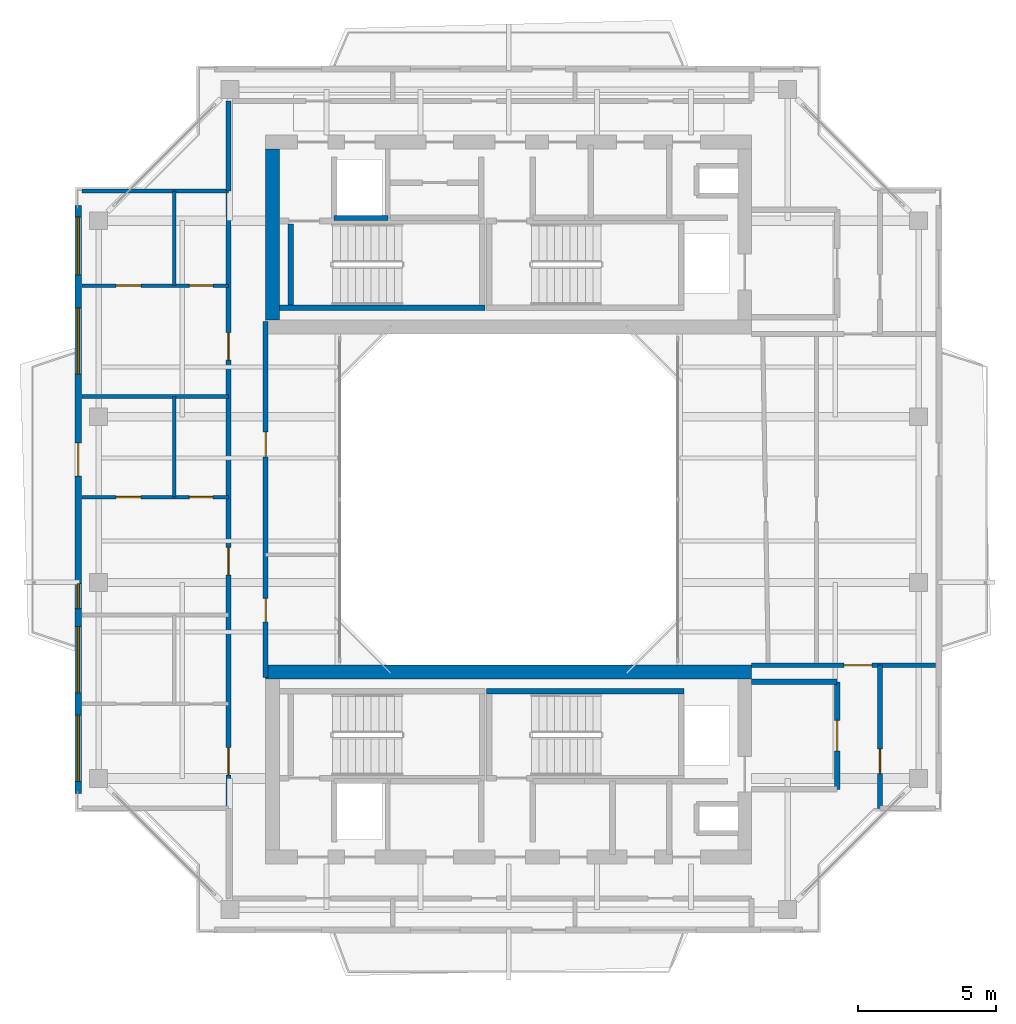
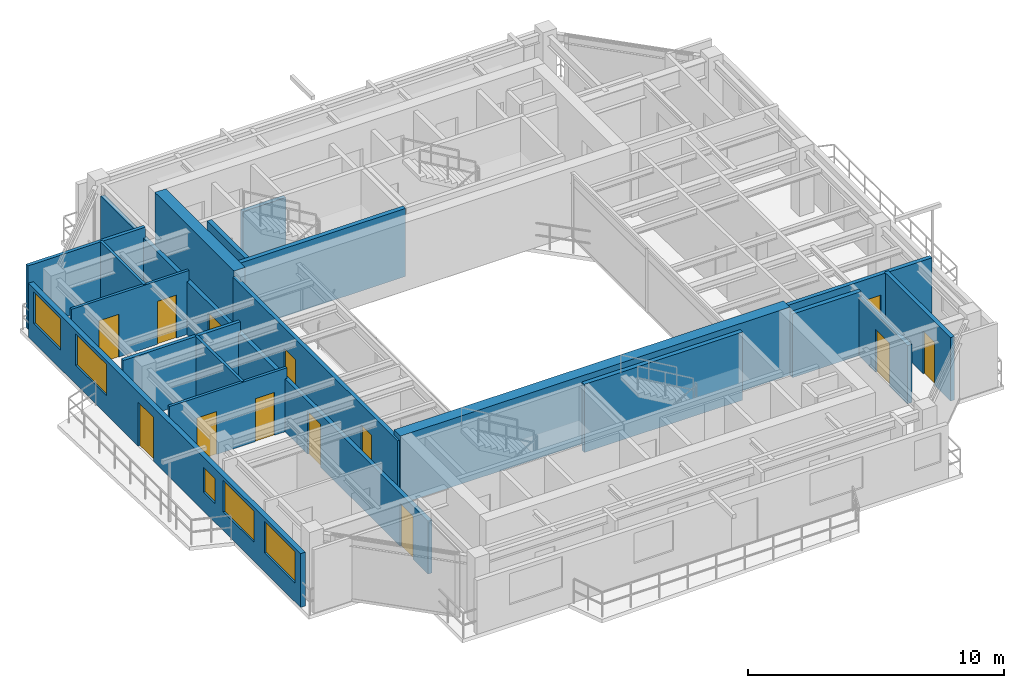
# One storey, part 10 of 14: 20 walls, 13 doors, 5 windows, 18 openings.
"""IFC4 building model written with IfcOpenShell, lengths in metres."""

from ifc_helpers import new_model, si_unit, direction, frame, frame_2d, origin, place, context, subcontext, project, spatial, rectangle, extrude, source, transform, mapped, material, layer, layer_set, type_object, element, fill, save


model = new_model("IFC4")

# Units and contexts
model_context = context("Model", 3, precision=1e-05, world=origin(), true_north=direction((0.0, 1.0)))
body_context = subcontext(model_context, "Body", "Model", "MODEL_VIEW")
ifc_project = project(units=[si_unit("LENGTHUNIT", "METRE"), si_unit("AREAUNIT", "SQUARE_METRE"), si_unit("VOLUMEUNIT", "CUBIC_METRE"), si_unit("PLANEANGLEUNIT", "RADIAN"), si_unit("MASSUNIT", "GRAM", prefix="KILO"), si_unit("THERMODYNAMICTEMPERATUREUNIT", "KELVIN"), si_unit("POWERUNIT", "WATT")], contexts=[model_context])

# Site, building, storey
site_placement = place(None, origin())
site = spatial("IfcSite", under=ifc_project, at=site_placement, CompositionType="ELEMENT")
building_placement = place(site_placement, origin())
building = spatial("IfcBuilding", under=site, at=building_placement, Name="Qiaomeng Ring Towers", CompositionType="ELEMENT")
storey_placement = place(building_placement, frame((0.0, 0.0, 260.0)))
storey = spatial("IfcBuildingStorey", under=building, at=storey_placement, Name="L76", CompositionType="ELEMENT", Elevation=260.0)

# Wall, openings, windows, door
ifc_material_1 = material(Name="Precast concrete C40", Category="concrete")
ifc_layer_1 = layer(ifc_material_1, 0.219970703125, Name="Precast concrete C40")
ifc_layer_set_1 = layer_set([ifc_layer_1], Name="Precast concrete C40")
wall_type_1 = type_object("IfcWallType", Name="ARC-WL-EW2", PredefinedType="STANDARD", material=ifc_layer_set_1)
wall_1_placement = place(storey_placement, frame((3.409912109375, 12.35009765625, 0.0), z_axis=(0.0, 0.0, 1.0), x_axis=(0.0, 1.0, 0.0)))
wall_1 = element("IfcWall", 1, at=wall_1_placement, inside=storey, type_object=wall_type_1, Name="L76 Tower 1 W Exterior Wall", PredefinedType="STANDARD", context=body_context, shape_type="SweptSolid", body=[
    extrude(rectangle(XDim=21.2998046875, YDim=0.219970703125, at=frame_2d((10.64990234375, 0.0))), origin(), (0.0, 0.0, 1.0), 2.570068359375),
])
opening_1_placement = place(wall_1_placement, frame((11.5, 0.0, 0.0)))
opening_1 = element("IfcOpeningElement", 2, at=opening_1_placement, cuts=wall_1, Name="Opening BD1", PredefinedType="OPENING", context=body_context, shape_type="SweptSolid", body=[
    extrude(rectangle(XDim=1.199951171875, YDim=2.10009765625, at=frame_2d((0.60009765625, 1.050048828125))), frame((0.0, 0.119873046875, 0.0), z_axis=(0.0, -1.0, 0.0), x_axis=(1.0, 0.0, 0.0)), (0.0, 0.0, 1.0), 0.239990234375),
])
opening_2_placement = place(wall_1_placement, frame((0.43994140625, 0.0, 0.89990234375)))
opening_2 = element("IfcOpeningElement", 3, at=opening_2_placement, cuts=wall_1, Name="Opening WN6", PredefinedType="OPENING", context=body_context, shape_type="SweptSolid", body=[
    extrude(rectangle(XDim=2.39990234375, YDim=1.5, at=frame_2d((1.199951171875, 0.75))), frame((0.0, 0.119873046875, 0.0), z_axis=(0.0, -1.0, 0.0), x_axis=(1.0, 0.0, 0.0)), (0.0, 0.0, 1.0), 0.239990234375),
])
opening_3_placement = place(wall_1_placement, frame((18.784912109375, 0.0, 0.89990234375)))
opening_3 = element("IfcOpeningElement", 4, at=opening_3_placement, cuts=wall_1, Name="Opening WN4", PredefinedType="OPENING", context=body_context, shape_type="SweptSolid", body=[
    extrude(rectangle(XDim=2.10009765625, YDim=1.5, at=frame_2d((1.050048828125, 0.75))), frame((0.0, 0.119873046875, 0.0), z_axis=(0.0, -1.0, 0.0), x_axis=(1.0, 0.0, 0.0)), (0.0, 0.0, 1.0), 0.239990234375),
])
opening_4_placement = place(wall_1_placement, frame((3.652587890625, 0.0, 0.89990234375)))
opening_4 = element("IfcOpeningElement", 5, at=opening_4_placement, cuts=wall_1, Name="Opening WN6", PredefinedType="OPENING", context=body_context, shape_type="SweptSolid", body=[
    extrude(rectangle(XDim=2.39990234375, YDim=1.5, at=frame_2d((1.199951171875, 0.75))), frame((0.0, 0.119873046875, 0.0), z_axis=(0.0, -1.0, 0.0), x_axis=(1.0, 0.0, 0.0)), (0.0, 0.0, 1.0), 0.239990234375),
])
opening_5_placement = place(wall_1_placement, frame((15.197509765625, 0.0, 0.89990234375)))
opening_5 = element("IfcOpeningElement", 6, at=opening_5_placement, cuts=wall_1, Name="Opening WN6", PredefinedType="OPENING", context=body_context, shape_type="SweptSolid", body=[
    extrude(rectangle(XDim=2.39990234375, YDim=1.5, at=frame_2d((1.199951171875, 0.75))), frame((0.0, 0.119873046875, 0.0), z_axis=(0.0, -1.0, 0.0), x_axis=(1.0, 0.0, 0.0)), (0.0, 0.0, 1.0), 0.239990234375),
])
opening_6_placement = place(wall_1_placement, frame((6.705078125, 0.0, 0.89990234375)))
opening_6 = element("IfcOpeningElement", 7, at=opening_6_placement, cuts=wall_1, Name="Opening WN5", PredefinedType="OPENING", context=body_context, shape_type="SweptSolid", body=[
    extrude(rectangle(XDim=0.89990234375, YDim=1.199951171875, at=frame_2d((0.449951171875, 0.60009765625))), frame((0.0, 0.119873046875, 0.0), z_axis=(0.0, -1.0, 0.0), x_axis=(1.0, 0.0, 0.0)), (0.0, 0.0, 1.0), 0.239990234375),
])
ifc_material_2 = material(Name="Low-E dark-grey laminated double glazing", Category="glass")
window_type_1 = type_object("IfcWindowType", Name="ARC-WN-4", PartitioningType="TRIPLE_PANEL_VERTICAL", PredefinedType="WINDOW", material=ifc_material_2)
shared_shape_1 = source(origin(), body_context, "Body", "SweptSolid", [
    extrude(rectangle(XDim=2.10009765625, YDim=1.5, at=frame_2d((1.050048828125, 0.75))), frame((0.0, 0.030029296875, 0.0), z_axis=(0.0, -1.0, 0.0), x_axis=(1.0, 0.0, 0.0)), (0.0, 0.0, 1.0), 0.06005859375),
])
window_1_placement = place(opening_3_placement, origin())
window_1 = element("IfcWindow", 8, at=window_1_placement, inside=storey, type_object=window_type_1, Name="L76 Exterior Window WN4", OverallHeight=1.5, OverallWidth=2.10009765625, PartitioningType="TRIPLE_PANEL_VERTICAL", PredefinedType="WINDOW", context=body_context, shape_type="MappedRepresentation", body=[
    mapped(shared_shape_1, transform((0.0, 0.0, 0.0), x_axis=(1.0, 0.0, 0.0), y_axis=(0.0, 1.0, 0.0), z_axis=(0.0, 0.0, 1.0), scale=1.0)),
])
fill(opening_3, window_1)
door_type_1 = type_object("IfcDoorType", Name="ARC-DR-BD1", OperationType="NOTDEFINED", PredefinedType="DOOR", material=ifc_material_2)
shared_shape_2 = source(origin(), body_context, "Body", "SweptSolid", [
    extrude(rectangle(XDim=1.199951171875, YDim=2.10009765625, at=frame_2d((0.60009765625, 1.050048828125))), frame((0.0, 0.02490234375, 0.0), z_axis=(0.0, -1.0, 0.0), x_axis=(1.0, 0.0, 0.0)), (0.0, 0.0, 1.0), 0.050048828125),
])
door_1_placement = place(opening_1_placement, frame((1.199951171875, 0.0, 0.0), z_axis=(0.0, 0.0, 1.0), x_axis=(-1.0, 0.0, 0.0)))
door_1 = element("IfcDoor", 9, at=door_1_placement, inside=storey, type_object=door_type_1, Name="L76 W Balcony Glazed Door", OperationType="SINGLE_SWING_LEFT", OverallHeight=2.10009765625, OverallWidth=1.199951171875, PredefinedType="DOOR", context=body_context, shape_type="MappedRepresentation", body=[
    mapped(shared_shape_2, transform((0.0, 0.0, 0.0), x_axis=(1.0, 0.0, 0.0), y_axis=(0.0, 1.0, 0.0), z_axis=(0.0, 0.0, 1.0), scale=1.0)),
])
fill(opening_1, door_1)
window_type_2 = type_object("IfcWindowType", Name="ARC-WN-6", PartitioningType="TRIPLE_PANEL_VERTICAL", PredefinedType="WINDOW", material=ifc_material_2)
shared_shape_3 = source(origin(), body_context, "Body", "SweptSolid", [
    extrude(rectangle(XDim=2.39990234375, YDim=1.5, at=frame_2d((1.199951171875, 0.75))), frame((0.0, 0.030029296875, 0.0), z_axis=(0.0, -1.0, 0.0), x_axis=(1.0, 0.0, 0.0)), (0.0, 0.0, 1.0), 0.06005859375),
])
window_2_placement = place(opening_2_placement, origin())
window_2 = element("IfcWindow", 10, at=window_2_placement, inside=storey, type_object=window_type_2, Name="L76 Exterior Window WN6", OverallHeight=1.5, OverallWidth=2.39990234375, PartitioningType="TRIPLE_PANEL_VERTICAL", PredefinedType="WINDOW", context=body_context, shape_type="MappedRepresentation", body=[
    mapped(shared_shape_3, transform((0.0, 0.0, 0.0), x_axis=(1.0, 0.0, 0.0), y_axis=(0.0, 1.0, 0.0), z_axis=(0.0, 0.0, 1.0), scale=1.0)),
])
fill(opening_2, window_2)
window_3_placement = place(opening_4_placement, origin())
window_3 = element("IfcWindow", 11, at=window_3_placement, inside=storey, type_object=window_type_2, Name="L76 Exterior Window WN6", OverallHeight=1.5, OverallWidth=2.39990234375, PartitioningType="TRIPLE_PANEL_VERTICAL", PredefinedType="WINDOW", context=body_context, shape_type="MappedRepresentation", body=[
    mapped(shared_shape_3, transform((0.0, 0.0, 0.0), x_axis=(1.0, 0.0, 0.0), y_axis=(0.0, 1.0, 0.0), z_axis=(0.0, 0.0, 1.0), scale=1.0)),
])
fill(opening_4, window_3)
window_4_placement = place(opening_5_placement, origin())
window_4 = element("IfcWindow", 12, at=window_4_placement, inside=storey, type_object=window_type_2, Name="L76 Exterior Window WN6", OverallHeight=1.5, OverallWidth=2.39990234375, PartitioningType="TRIPLE_PANEL_VERTICAL", PredefinedType="WINDOW", context=body_context, shape_type="MappedRepresentation", body=[
    mapped(shared_shape_3, transform((0.0, 0.0, 0.0), x_axis=(1.0, 0.0, 0.0), y_axis=(0.0, 1.0, 0.0), z_axis=(0.0, 0.0, 1.0), scale=1.0)),
])
fill(opening_5, window_4)
window_type_3 = type_object("IfcWindowType", Name="ARC-WN-5", PartitioningType="SINGLE_PANEL", PredefinedType="WINDOW", material=ifc_material_2)
shared_shape_4 = source(origin(), body_context, "Body", "SweptSolid", [
    extrude(rectangle(XDim=0.89990234375, YDim=1.199951171875, at=frame_2d((0.449951171875, 0.60009765625))), frame((0.0, 0.030029296875, 0.0), z_axis=(0.0, -1.0, 0.0), x_axis=(1.0, 0.0, 0.0)), (0.0, 0.0, 1.0), 0.06005859375),
])
window_5_placement = place(opening_6_placement, origin())
window_5 = element("IfcWindow", 13, at=window_5_placement, inside=storey, type_object=window_type_3, Name="L76 Exterior Window WN5", OverallHeight=1.199951171875, OverallWidth=0.89990234375, PartitioningType="SINGLE_PANEL", PredefinedType="WINDOW", context=body_context, shape_type="MappedRepresentation", body=[
    mapped(shared_shape_4, transform((0.0, 0.0, 0.0), x_axis=(1.0, 0.0, 0.0), y_axis=(0.0, 1.0, 0.0), z_axis=(0.0, 0.0, 1.0), scale=1.0)),
])
fill(opening_6, window_5)

# Wall
ifc_material_3 = material(Name="Autoclaved aerated concrete block", Category="concrete")
ifc_layer_2 = layer(ifc_material_3, 0.199951171875, Name="Autoclaved aerated concrete block")
ifc_layer_set_2 = layer_set([ifc_layer_2], Name="Autoclaved aerated concrete block")
wall_type_2 = type_object("IfcWallType", Name="ARC-WL-PW1", PredefinedType="PARTITIONING", material=ifc_layer_set_2)
wall_2_placement = place(storey_placement, frame((27.800048828125, 16.39990234375, 0.0), z_axis=(0.0, 0.0, 1.0), x_axis=(1.0, 0.0, 0.0)))
element("IfcWall", 14, at=wall_2_placement, inside=storey, type_object=wall_type_2, Name="L76 Interior Wall PW1", PredefinedType="PARTITIONING", context=body_context, shape_type="SweptSolid", body=[
    extrude(rectangle(XDim=3.099853515625, YDim=0.199951171875, at=frame_2d((1.5498046875, 0.0))), origin(), (0.0, 0.0, 1.0), 3.030029296875),
])

# Wall, opening, door
wall_3_placement = place(storey_placement, frame((30.89990234375, 12.5, 0.0), z_axis=(0.0, 0.0, 1.0), x_axis=(0.0, 1.0, 0.0)))
wall_3 = element("IfcWall", 15, at=wall_3_placement, inside=storey, type_object=wall_type_2, Name="L76 Interior Wall PW1", PredefinedType="PARTITIONING", context=body_context, shape_type="SweptSolid", body=[
    extrude(rectangle(XDim=3.89990234375, YDim=0.199951171875, at=frame_2d((1.949951171875, 0.0))), origin(), (0.0, 0.0, 1.0), 2.781005859375),
])
opening_7_placement = place(wall_3_placement, frame((1.39990234375, 0.0, 0.0)))
opening_7 = element("IfcOpeningElement", 16, at=opening_7_placement, cuts=wall_3, Name="Opening FD3", PredefinedType="OPENING", context=body_context, shape_type="SweptSolid", body=[
    extrude(rectangle(XDim=1.10009765625, YDim=2.050048828125, at=frame_2d((0.550048828125, 1.02490234375))), frame((0.0, 0.10986328125, 0.0), z_axis=(0.0, -1.0, 0.0), x_axis=(1.0, 0.0, 0.0)), (0.0, 0.0, 1.0), 0.219970703125),
])
ifc_material_4 = material(Name="Galvanised steel", Category="steel")
door_type_2 = type_object("IfcDoorType", Name="ARC-DR-FD3", OperationType="NOTDEFINED", PredefinedType="DOOR", material=ifc_material_4)
shared_shape_5 = source(origin(), body_context, "Body", "SweptSolid", [
    extrude(rectangle(XDim=1.10009765625, YDim=2.050048828125, at=frame_2d((0.550048828125, 1.02490234375))), frame((0.0, 0.02490234375, 0.0), z_axis=(0.0, -1.0, 0.0), x_axis=(1.0, 0.0, 0.0)), (0.0, 0.0, 1.0), 0.050048828125),
])
door_2_placement = place(opening_7_placement, origin())
door_2 = element("IfcDoor", 17, at=door_2_placement, inside=storey, type_object=door_type_2, Name="L76 South FF Lobby Door", OperationType="SINGLE_SWING_RIGHT", OverallHeight=2.050048828125, OverallWidth=1.10009765625, PredefinedType="DOOR", context=body_context, shape_type="MappedRepresentation", body=[
    mapped(shared_shape_5, transform((0.0, 0.0, 0.0), x_axis=(1.0, 0.0, 0.0), y_axis=(0.0, 1.0, 0.0), z_axis=(0.0, 0.0, 1.0), scale=1.0)),
])
fill(opening_7, door_2)

# Wall
ifc_layer_3 = layer(ifc_material_3, 0.179931640625, Name="Autoclaved aerated concrete block")
ifc_layer_set_3 = layer_set([ifc_layer_3], Name="Autoclaved aerated concrete block")
wall_type_3 = type_object("IfcWallType", Name="ARC-WL-PW2", PredefinedType="PARTITIONING", material=ifc_layer_set_3)
wall_4_placement = place(storey_placement, frame((8.85009765625, 34.179931640625, 0.0), z_axis=(0.0, 0.0, 1.0), x_axis=(0.0, 1.0, 0.0)))
element("IfcWall", 18, at=wall_4_placement, inside=storey, type_object=wall_type_3, Name="L76 Interior Wall PW2", PredefinedType="PARTITIONING", context=body_context, shape_type="SweptSolid", body=[
    extrude(rectangle(XDim=3.260009765625, YDim=0.179931640625, at=frame_2d((1.6298828125, 0.0))), origin(), (0.0, 0.0, 1.0), 2.529052734375),
])

# Wall, openings, doors
wall_5_placement = place(storey_placement, frame((8.85009765625, 11.820068359375, 0.0), z_axis=(0.0, 0.0, 1.0), x_axis=(0.0, 1.0, 0.0)))
wall_5 = element("IfcWall", 19, at=wall_5_placement, inside=storey, type_object=wall_type_3, Name="L76 Interior Wall PW2", PredefinedType="PARTITIONING", context=body_context, shape_type="SweptSolid", body=[
    extrude(rectangle(XDim=22.35986328125, YDim=0.179931640625, at=frame_2d((11.179931640625, 0.0))), origin(), (0.0, 0.0, 1.0), 2.529052734375),
])
opening_8_placement = place(wall_5_placement, frame((1.199951171875, 0.0, 0.0)))
opening_8 = element("IfcOpeningElement", 20, at=opening_8_placement, cuts=wall_5, Name="Opening FD4", PredefinedType="OPENING", context=body_context, shape_type="SweptSolid", body=[
    extrude(rectangle(XDim=1.0, YDim=2.050048828125, at=frame_2d((0.5, 1.02490234375))), frame((0.0, 0.099853515625, 0.0), z_axis=(0.0, -1.0, 0.0), x_axis=(1.0, 0.0, 0.0)), (0.0, 0.0, 1.0), 0.199951171875),
])
opening_9_placement = place(wall_5_placement, frame((8.445068359375, 0.0, 0.0)))
opening_9 = element("IfcOpeningElement", 21, at=opening_9_placement, cuts=wall_5, Name="Opening FD4", PredefinedType="OPENING", context=body_context, shape_type="SweptSolid", body=[
    extrude(rectangle(XDim=1.0, YDim=2.050048828125, at=frame_2d((0.5, 1.02490234375))), frame((0.0, 0.099853515625, 0.0), z_axis=(0.0, -1.0, 0.0), x_axis=(1.0, 0.0, 0.0)), (0.0, 0.0, 1.0), 0.199951171875),
])
opening_10_placement = place(wall_5_placement, frame((16.22998046875, 0.0, 0.0)))
opening_10 = element("IfcOpeningElement", 22, at=opening_10_placement, cuts=wall_5, Name="Opening FD4", PredefinedType="OPENING", context=body_context, shape_type="SweptSolid", body=[
    extrude(rectangle(XDim=1.0, YDim=2.050048828125, at=frame_2d((0.5, 1.02490234375))), frame((0.0, 0.099853515625, 0.0), z_axis=(0.0, -1.0, 0.0), x_axis=(1.0, 0.0, 0.0)), (0.0, 0.0, 1.0), 0.199951171875),
])
ifc_material_5 = material(Name="Engineered fire-rated oak timber", Category="wood")
door_type_3 = type_object("IfcDoorType", Name="ARC-DR-FD4", OperationType="NOTDEFINED", PredefinedType="DOOR", material=ifc_material_5)
shared_shape_6 = source(origin(), body_context, "Body", "SweptSolid", [
    extrude(rectangle(XDim=1.0, YDim=2.050048828125, at=frame_2d((0.5, 1.02490234375))), frame((0.0, 0.02490234375, 0.0), z_axis=(0.0, -1.0, 0.0), x_axis=(1.0, 0.0, 0.0)), (0.0, 0.0, 1.0), 0.050048828125),
])
door_3_placement = place(opening_8_placement, origin())
door_3 = element("IfcDoor", 23, at=door_3_placement, inside=storey, type_object=door_type_3, Name="L76 Door FD4", OperationType="SINGLE_SWING_RIGHT", OverallHeight=2.050048828125, OverallWidth=1.0, PredefinedType="DOOR", context=body_context, shape_type="MappedRepresentation", body=[
    mapped(shared_shape_6, transform((0.0, 0.0, 0.0), x_axis=(1.0, 0.0, 0.0), y_axis=(0.0, 1.0, 0.0), z_axis=(0.0, 0.0, 1.0), scale=1.0)),
])
fill(opening_8, door_3)
door_4_placement = place(opening_9_placement, origin())
door_4 = element("IfcDoor", 24, at=door_4_placement, inside=storey, type_object=door_type_3, Name="L76 Door FD4", OperationType="SINGLE_SWING_LEFT", OverallHeight=2.050048828125, OverallWidth=1.0, PredefinedType="DOOR", context=body_context, shape_type="MappedRepresentation", body=[
    mapped(shared_shape_6, transform((0.0, 0.0, 0.0), x_axis=(1.0, 0.0, 0.0), y_axis=(0.0, 1.0, 0.0), z_axis=(0.0, 0.0, 1.0), scale=1.0)),
])
fill(opening_9, door_4)
door_5_placement = place(opening_10_placement, origin())
door_5 = element("IfcDoor", 25, at=door_5_placement, inside=storey, type_object=door_type_3, Name="L76 Door FD4", OperationType="SINGLE_SWING_RIGHT", OverallHeight=2.050048828125, OverallWidth=1.0, PredefinedType="DOOR", context=body_context, shape_type="MappedRepresentation", body=[
    mapped(shared_shape_6, transform((0.0, 0.0, 0.0), x_axis=(1.0, 0.0, 0.0), y_axis=(0.0, 1.0, 0.0), z_axis=(0.0, 0.0, 1.0), scale=1.0)),
])
fill(opening_10, door_5)

wall_6_placement = place(storey_placement, frame((10.199951171875, 16.550048828125, 0.0), z_axis=(0.0, 0.0, 1.0), x_axis=(0.0, 1.0, 0.0)))
wall_6 = element("IfcWall", 26, at=wall_6_placement, inside=storey, type_object=wall_type_3, Name="L76 Interior Wall PW2", PredefinedType="PARTITIONING", context=body_context, shape_type="SweptSolid", body=[
    extrude(rectangle(XDim=12.89990234375, YDim=0.179931640625, at=frame_2d((6.449951171875, 0.0))), origin(), (0.0, 0.0, 1.0), 3.030029296875),
])
opening_11_placement = place(wall_6_placement, frame((2.02490234375, 0.0, 0.0)))
opening_11 = element("IfcOpeningElement", 27, at=opening_11_placement, cuts=wall_6, Name="Opening ID2", PredefinedType="OPENING", context=body_context, shape_type="SweptSolid", body=[
    extrude(rectangle(XDim=0.85009765625, YDim=2.050048828125, at=frame_2d((0.425048828125, 1.02490234375))), frame((0.0, 0.099853515625, 0.0), z_axis=(0.0, -1.0, 0.0), x_axis=(1.0, 0.0, 0.0)), (0.0, 0.0, 1.0), 0.199951171875),
])
opening_12_placement = place(wall_6_placement, frame((8.0, 0.0, 0.0)))
opening_12 = element("IfcOpeningElement", 28, at=opening_12_placement, cuts=wall_6, Name="Opening ID1", PredefinedType="OPENING", context=body_context, shape_type="SweptSolid", body=[
    extrude(rectangle(XDim=0.89990234375, YDim=2.050048828125, at=frame_2d((0.449951171875, 1.02490234375))), frame((0.0, 0.099853515625, 0.0), z_axis=(0.0, -1.0, 0.0), x_axis=(1.0, 0.0, 0.0)), (0.0, 0.0, 1.0), 0.199951171875),
])
ifc_material_6 = material(Name="Moisture-resistant engineered timber", Category="wood")
door_type_4 = type_object("IfcDoorType", Name="ARC-DR-ID2", OperationType="NOTDEFINED", PredefinedType="DOOR", material=ifc_material_6)
shared_shape_7 = source(origin(), body_context, "Body", "SweptSolid", [
    extrude(rectangle(XDim=0.85009765625, YDim=2.050048828125, at=frame_2d((0.425048828125, 1.02490234375))), frame((0.0, 0.02490234375, 0.0), z_axis=(0.0, -1.0, 0.0), x_axis=(1.0, 0.0, 0.0)), (0.0, 0.0, 1.0), 0.050048828125),
])
door_6_placement = place(opening_11_placement, origin())
door_6 = element("IfcDoor", 29, at=door_6_placement, inside=storey, type_object=door_type_4, Name="L76 Door ID2", OperationType="SINGLE_SWING_LEFT", OverallHeight=2.050048828125, OverallWidth=0.85009765625, PredefinedType="DOOR", context=body_context, shape_type="MappedRepresentation", body=[
    mapped(shared_shape_7, transform((0.0, 0.0, 0.0), x_axis=(1.0, 0.0, 0.0), y_axis=(0.0, 1.0, 0.0), z_axis=(0.0, 0.0, 1.0), scale=1.0)),
])
fill(opening_11, door_6)
ifc_material_7 = material(Name="Engineered oak timber", Category="wood")
door_type_5 = type_object("IfcDoorType", Name="ARC-DR-ID1", OperationType="NOTDEFINED", PredefinedType="DOOR", material=ifc_material_7)
shared_shape_8 = source(origin(), body_context, "Body", "SweptSolid", [
    extrude(rectangle(XDim=0.89990234375, YDim=2.050048828125, at=frame_2d((0.449951171875, 1.02490234375))), frame((0.0, 0.02490234375, 0.0), z_axis=(0.0, -1.0, 0.0), x_axis=(1.0, 0.0, 0.0)), (0.0, 0.0, 1.0), 0.050048828125),
])
door_7_placement = place(opening_12_placement, origin())
door_7 = element("IfcDoor", 30, at=door_7_placement, inside=storey, type_object=door_type_5, Name="L76 Door ID1", OperationType="SINGLE_SWING_RIGHT", OverallHeight=2.050048828125, OverallWidth=0.89990234375, PredefinedType="DOOR", context=body_context, shape_type="MappedRepresentation", body=[
    mapped(shared_shape_8, transform((0.0, 0.0, 0.0), x_axis=(1.0, 0.0, 0.0), y_axis=(0.0, 1.0, 0.0), z_axis=(0.0, 0.0, 1.0), scale=1.0)),
])
fill(opening_12, door_7)

# Wall, opening, door
wall_7_placement = place(storey_placement, frame((27.800048828125, 17.0, 0.0), z_axis=(0.0, 0.0, 1.0), x_axis=(1.0, 0.0, 0.0)))
wall_7 = element("IfcWall", 31, at=wall_7_placement, inside=storey, type_object=wall_type_3, Name="L76 Interior Wall PW2", PredefinedType="PARTITIONING", context=body_context, shape_type="SweptSolid", body=[
    extrude(rectangle(XDim=6.64990234375, YDim=0.179931640625, at=frame_2d((3.324951171875, 0.0))), origin(), (0.0, 0.0, 1.0), 3.030029296875),
])
opening_13_placement = place(wall_7_placement, frame((3.35009765625, 0.0, 0.0)))
opening_13 = element("IfcOpeningElement", 32, at=opening_13_placement, cuts=wall_7, Name="Opening FD4", PredefinedType="OPENING", context=body_context, shape_type="SweptSolid", body=[
    extrude(rectangle(XDim=1.0, YDim=2.050048828125, at=frame_2d((0.5, 1.02490234375))), frame((0.0, 0.099853515625, 0.0), z_axis=(0.0, -1.0, 0.0), x_axis=(1.0, 0.0, 0.0)), (0.0, 0.0, 1.0), 0.199951171875),
])
door_8_placement = place(opening_13_placement, origin())
door_8 = element("IfcDoor", 33, at=door_8_placement, inside=storey, type_object=door_type_3, Name="L76 Door FD4", OperationType="SINGLE_SWING_LEFT", OverallHeight=2.050048828125, OverallWidth=1.0, PredefinedType="DOOR", context=body_context, shape_type="MappedRepresentation", body=[
    mapped(shared_shape_6, transform((0.0, 0.0, 0.0), x_axis=(1.0, 0.0, 0.0), y_axis=(0.0, 1.0, 0.0), z_axis=(0.0, 0.0, 1.0), scale=1.0)),
])
fill(opening_13, door_8)

wall_8_placement = place(storey_placement, frame((32.449951171875, 11.820068359375, 0.0), z_axis=(0.0, 0.0, 1.0), x_axis=(0.0, 1.0, 0.0)))
wall_8 = element("IfcWall", 34, at=wall_8_placement, inside=storey, type_object=wall_type_3, Name="L76 Interior Wall PW2", PredefinedType="PARTITIONING", context=body_context, shape_type="SweptSolid", body=[
    extrude(rectangle(XDim=5.179931640625, YDim=0.179931640625, at=frame_2d((2.58984375, 0.0))), origin(), (0.0, 0.0, 1.0), 3.030029296875),
])
opening_14_placement = place(wall_8_placement, frame((1.25, 0.0, 0.0)))
opening_14 = element("IfcOpeningElement", 35, at=opening_14_placement, cuts=wall_8, Name="Opening ID1", PredefinedType="OPENING", context=body_context, shape_type="SweptSolid", body=[
    extrude(rectangle(XDim=0.89990234375, YDim=2.050048828125, at=frame_2d((0.449951171875, 1.02490234375))), frame((0.0, 0.099853515625, 0.0), z_axis=(0.0, -1.0, 0.0), x_axis=(1.0, 0.0, 0.0)), (0.0, 0.0, 1.0), 0.199951171875),
])
door_9_placement = place(opening_14_placement, origin())
door_9 = element("IfcDoor", 36, at=door_9_placement, inside=storey, type_object=door_type_5, Name="L76 Door ID1", OperationType="SINGLE_SWING_RIGHT", OverallHeight=2.050048828125, OverallWidth=0.89990234375, PredefinedType="DOOR", context=body_context, shape_type="MappedRepresentation", body=[
    mapped(shared_shape_8, transform((0.0, 0.0, 0.0), x_axis=(1.0, 0.0, 0.0), y_axis=(0.0, 1.0, 0.0), z_axis=(0.0, 0.0, 1.0), scale=1.0)),
])
fill(opening_14, door_9)

# Walls
ifc_material_8 = material(Name="Gypsum fireboard steel-stud partition", Category="steel")
ifc_layer_4 = layer(ifc_material_8, 0.14990234375, Name="Gypsum fireboard steel-stud partition")
ifc_layer_set_4 = layer_set([ifc_layer_4], Name="Gypsum fireboard steel-stud partition")
wall_type_4 = type_object("IfcWallType", Name="ARC-WL-PW3", PredefinedType="PARTITIONING", material=ifc_layer_set_4)
for number, where, z_axis, x_axis, name in (
    (37, (3.550048828125, 34.179931640625, 0.0), (0.0, 0.0, 1.0), (1.0, 0.0, 0.0), "L76 Interior Wall PW3"),
    (38, (3.550048828125, 26.72998046875, 0.0), (0.0, 0.0, 1.0), (1.0, 0.0, 0.0), "L76 Interior Wall PW3"),
):
    element("IfcWall", number, at=place(storey_placement, frame(where, z_axis=z_axis, x_axis=x_axis)), inside=storey, type_object=wall_type_4, Name=name, PredefinedType="PARTITIONING", context=body_context, shape_type="SweptSolid", body=[
        extrude(rectangle(XDim=5.300048828125, YDim=0.14990234375, at=frame_2d((2.64990234375, 0.0))), origin(), (0.0, 0.0, 1.0), 3.030029296875),
    ])

# Wall, openings, doors
ifc_material_9 = material(Name="Moisture-resistant gypsum steel-stud partition", Category="steel")
ifc_layer_5 = layer(ifc_material_9, 0.1201171875, Name="Moisture-resistant gypsum steel-stud partition")
ifc_layer_set_5 = layer_set([ifc_layer_5], Name="Moisture-resistant gypsum steel-stud partition")
wall_type_5 = type_object("IfcWallType", Name="ARC-WL-PW4", PredefinedType="PLUMBINGWALL", material=ifc_layer_set_5)
wall_9_placement = place(storey_placement, frame((3.550048828125, 23.090087890625, 0.0), z_axis=(0.0, 0.0, 1.0), x_axis=(1.0, 0.0, 0.0)))
wall_9 = element("IfcWall", 39, at=wall_9_placement, inside=storey, type_object=wall_type_5, Name="L76 Interior Wall PW4", PredefinedType="PLUMBINGWALL", context=body_context, shape_type="SweptSolid", body=[
    extrude(rectangle(XDim=5.300048828125, YDim=0.1201171875, at=frame_2d((2.64990234375, 0.0))), origin(), (0.0, 0.0, 1.0), 3.030029296875),
])
opening_15_placement = place(wall_9_placement, frame((1.22998046875, 0.0, 0.0)))
opening_15 = element("IfcOpeningElement", 40, at=opening_15_placement, cuts=wall_9, Name="Opening ID1", PredefinedType="OPENING", context=body_context, shape_type="SweptSolid", body=[
    extrude(rectangle(XDim=0.89990234375, YDim=2.050048828125, at=frame_2d((0.449951171875, 1.02490234375))), frame((0.0, 0.070068359375, 0.0), z_axis=(0.0, -1.0, 0.0), x_axis=(1.0, 0.0, 0.0)), (0.0, 0.0, 1.0), 0.14013671875),
])
opening_16_placement = place(wall_9_placement, frame((3.885009765625, 0.0, 0.0)))
opening_16 = element("IfcOpeningElement", 41, at=opening_16_placement, cuts=wall_9, Name="Opening ID2", PredefinedType="OPENING", context=body_context, shape_type="SweptSolid", body=[
    extrude(rectangle(XDim=0.85009765625, YDim=2.050048828125, at=frame_2d((0.425048828125, 1.02490234375))), frame((0.0, 0.070068359375, 0.0), z_axis=(0.0, -1.0, 0.0), x_axis=(1.0, 0.0, 0.0)), (0.0, 0.0, 1.0), 0.14013671875),
])
door_10_placement = place(opening_16_placement, origin())
door_10 = element("IfcDoor", 42, at=door_10_placement, inside=storey, type_object=door_type_4, Name="L76 Door ID2", OperationType="SINGLE_SWING_RIGHT", OverallHeight=2.050048828125, OverallWidth=0.85009765625, PredefinedType="DOOR", context=body_context, shape_type="MappedRepresentation", body=[
    mapped(shared_shape_7, transform((0.0, 0.0, 0.0), x_axis=(1.0, 0.0, 0.0), y_axis=(0.0, 1.0, 0.0), z_axis=(0.0, 0.0, 1.0), scale=1.0)),
])
fill(opening_16, door_10)
door_11_placement = place(opening_15_placement, origin())
door_11 = element("IfcDoor", 43, at=door_11_placement, inside=storey, type_object=door_type_5, Name="L76 Door ID1", OperationType="SINGLE_SWING_LEFT", OverallHeight=2.050048828125, OverallWidth=0.89990234375, PredefinedType="DOOR", context=body_context, shape_type="MappedRepresentation", body=[
    mapped(shared_shape_8, transform((0.0, 0.0, 0.0), x_axis=(1.0, 0.0, 0.0), y_axis=(0.0, 1.0, 0.0), z_axis=(0.0, 0.0, 1.0), scale=1.0)),
])
fill(opening_15, door_11)

# Wall
wall_10_placement = place(storey_placement, frame((6.889892578125, 23.090087890625, 0.0), z_axis=(0.0, 0.0, 1.0), x_axis=(0.0, 1.0, 0.0)))
element("IfcWall", 44, at=wall_10_placement, inside=storey, type_object=wall_type_5, Name="L76 Interior Wall PW4", PredefinedType="PLUMBINGWALL", context=body_context, shape_type="SweptSolid", body=[
    extrude(rectangle(XDim=3.639892578125, YDim=0.1201171875, at=frame_2d((1.81982421875, 0.0))), origin(), (0.0, 0.0, 1.0), 3.030029296875),
])

# Wall, openings, doors
wall_11_placement = place(storey_placement, frame((3.550048828125, 30.75, 0.0), z_axis=(0.0, 0.0, 1.0), x_axis=(1.0, 0.0, 0.0)))
wall_11 = element("IfcWall", 45, at=wall_11_placement, inside=storey, type_object=wall_type_5, Name="L76 Interior Wall PW4", PredefinedType="PLUMBINGWALL", context=body_context, shape_type="SweptSolid", body=[
    extrude(rectangle(XDim=5.300048828125, YDim=0.1201171875, at=frame_2d((2.64990234375, 0.0))), origin(), (0.0, 0.0, 1.0), 3.030029296875),
])
opening_17_placement = place(wall_11_placement, frame((1.22998046875, 0.0, 0.0)))
opening_17 = element("IfcOpeningElement", 46, at=opening_17_placement, cuts=wall_11, Name="Opening ID1", PredefinedType="OPENING", context=body_context, shape_type="SweptSolid", body=[
    extrude(rectangle(XDim=0.89990234375, YDim=2.050048828125, at=frame_2d((0.449951171875, 1.02490234375))), frame((0.0, 0.070068359375, 0.0), z_axis=(0.0, -1.0, 0.0), x_axis=(1.0, 0.0, 0.0)), (0.0, 0.0, 1.0), 0.14013671875),
])
opening_18_placement = place(wall_11_placement, frame((3.885009765625, 0.0, 0.0)))
opening_18 = element("IfcOpeningElement", 47, at=opening_18_placement, cuts=wall_11, Name="Opening ID2", PredefinedType="OPENING", context=body_context, shape_type="SweptSolid", body=[
    extrude(rectangle(XDim=0.85009765625, YDim=2.050048828125, at=frame_2d((0.425048828125, 1.02490234375))), frame((0.0, 0.070068359375, 0.0), z_axis=(0.0, -1.0, 0.0), x_axis=(1.0, 0.0, 0.0)), (0.0, 0.0, 1.0), 0.14013671875),
])
door_12_placement = place(opening_18_placement, origin())
door_12 = element("IfcDoor", 48, at=door_12_placement, inside=storey, type_object=door_type_4, Name="L76 Door ID2", OperationType="SINGLE_SWING_LEFT", OverallHeight=2.050048828125, OverallWidth=0.85009765625, PredefinedType="DOOR", context=body_context, shape_type="MappedRepresentation", body=[
    mapped(shared_shape_7, transform((0.0, 0.0, 0.0), x_axis=(1.0, 0.0, 0.0), y_axis=(0.0, 1.0, 0.0), z_axis=(0.0, 0.0, 1.0), scale=1.0)),
])
fill(opening_18, door_12)
door_13_placement = place(opening_17_placement, origin())
door_13 = element("IfcDoor", 49, at=door_13_placement, inside=storey, type_object=door_type_5, Name="L76 Door ID1", OperationType="SINGLE_SWING_RIGHT", OverallHeight=2.050048828125, OverallWidth=0.89990234375, PredefinedType="DOOR", context=body_context, shape_type="MappedRepresentation", body=[
    mapped(shared_shape_8, transform((0.0, 0.0, 0.0), x_axis=(1.0, 0.0, 0.0), y_axis=(0.0, 1.0, 0.0), z_axis=(0.0, 0.0, 1.0), scale=1.0)),
])
fill(opening_17, door_13)

# Walls
wall_12_placement = place(storey_placement, frame((6.889892578125, 30.75, 0.0), z_axis=(0.0, 0.0, 1.0), x_axis=(0.0, 1.0, 0.0)))
element("IfcWall", 50, at=wall_12_placement, inside=storey, type_object=wall_type_5, Name="L76 Interior Wall PW4", PredefinedType="PLUMBINGWALL", context=body_context, shape_type="SweptSolid", body=[
    extrude(rectangle(XDim=3.429931640625, YDim=0.1201171875, at=frame_2d((1.71484375, 0.0))), origin(), (0.0, 0.0, 1.0), 3.030029296875),
])
ifc_material_10 = material(Name="Concrete C40", Category="concrete")
ifc_layer_6 = layer(ifc_material_10, 0.199951171875, Name="Concrete C40")
ifc_layer_set_6 = layer_set([ifc_layer_6], Name="Concrete C40")
wall_type_6 = type_object("IfcWallType", Name="STR-WL-STSHAFT", PredefinedType="SHEAR", material=ifc_layer_set_6)
wall_13_placement = place(storey_placement, frame((12.679931640625, 33.199951171875, 0.0), z_axis=(0.0, 0.0, 1.0), x_axis=(1.0, 0.0, 0.0)))
element("IfcWall", 51, at=wall_13_placement, inside=storey, type_object=wall_type_6, Name="L76 Lift LP5 Shaft Back Wall", PredefinedType="SHEAR", context=body_context, shape_type="SweptSolid", body=[
    extrude(rectangle(XDim=1.940185546875, YDim=0.179931640625, at=frame_2d((0.97021484375, 0.0))), origin(), (0.0, 0.0, 1.0), 3.030029296875),
])
wall_14_placement = place(storey_placement, frame((10.699951171875, 29.949951171875, 0.0), z_axis=(0.0, 0.0, 1.0), x_axis=(1.0, 0.0, 0.0)))
element("IfcWall", 52, at=wall_14_placement, inside=storey, type_object=wall_type_6, Name="L76 Stair ST1 South Shaft Shear Wall", PredefinedType="SHEAR", context=body_context, shape_type="SweptSolid", body=[
    extrude(rectangle(XDim=7.449951171875, YDim=0.199951171875, at=frame_2d((3.72509765625, 0.0))), origin(), (0.0, 0.0, 1.0), 3.25),
])
wall_15_placement = place(storey_placement, frame((11.10009765625, 30.050048828125, 0.0), z_axis=(0.0, 0.0, 1.0), x_axis=(0.0, 1.0, 0.0)))
element("IfcWall", 53, at=wall_15_placement, inside=storey, type_object=wall_type_6, Name="L76 Stair ST1 West Shaft Shear Wall", PredefinedType="SHEAR", context=body_context, shape_type="SweptSolid", body=[
    extrude(rectangle(XDim=2.93994140625, YDim=0.199951171875, at=frame_2d((1.469970703125, 0.0))), origin(), (0.0, 0.0, 1.0), 3.25),
])
wall_16_placement = place(storey_placement, frame((18.199951171875, 16.050048828125, 0.0), z_axis=(0.0, 0.0, 1.0), x_axis=(1.0, 0.0, 0.0)))
element("IfcWall", 54, at=wall_16_placement, inside=storey, type_object=wall_type_6, Name="L76 Stair ST4 North Shaft Shear Wall", PredefinedType="SHEAR", context=body_context, shape_type="SweptSolid", body=[
    extrude(rectangle(XDim=7.150146484375, YDim=0.199951171875, at=frame_2d((3.5751953125, 0.0))), origin(), (0.0, 0.0, 1.0), 3.25),
])
ifc_layer_7 = layer(ifc_material_10, 0.5, Name="Concrete C40")
ifc_layer_set_7 = layer_set([ifc_layer_7], Name="Concrete C40")
wall_type_7 = type_object("IfcWallType", Name="STR-WL-SW3", PredefinedType="SHEAR", material=ifc_layer_set_7)
wall_17_placement = place(storey_placement, frame((10.449951171875, 29.5, 0.0), z_axis=(0.0, 0.0, 1.0), x_axis=(0.0, 1.0, 0.0)))
element("IfcWall", 55, at=wall_17_placement, inside=storey, type_object=wall_type_7, Name="L76 T1NC west core shear wall", PredefinedType="SHEAR", context=body_context, shape_type="SweptSolid", body=[
    extrude(rectangle(XDim=6.199951171875, YDim=0.5, at=frame_2d((3.10009765625, 0.0))), origin(), (0.0, 0.0, 1.0), 3.25),
])
wall_18_placement = place(storey_placement, frame((10.199951171875, 16.75, 0.0), z_axis=(0.0, 0.0, 1.0), x_axis=(1.0, 0.0, 0.0)))
element("IfcWall", 56, at=wall_18_placement, inside=storey, type_object=wall_type_7, Name="L76 T1SC north core shear wall", PredefinedType="SHEAR", context=body_context, shape_type="SweptSolid", body=[
    extrude(rectangle(XDim=17.60009765625, YDim=0.5, at=frame_2d((8.800048828125, 0.0))), origin(), (0.0, 0.0, 1.0), 3.25),
])

save(model, "model.ifc")
